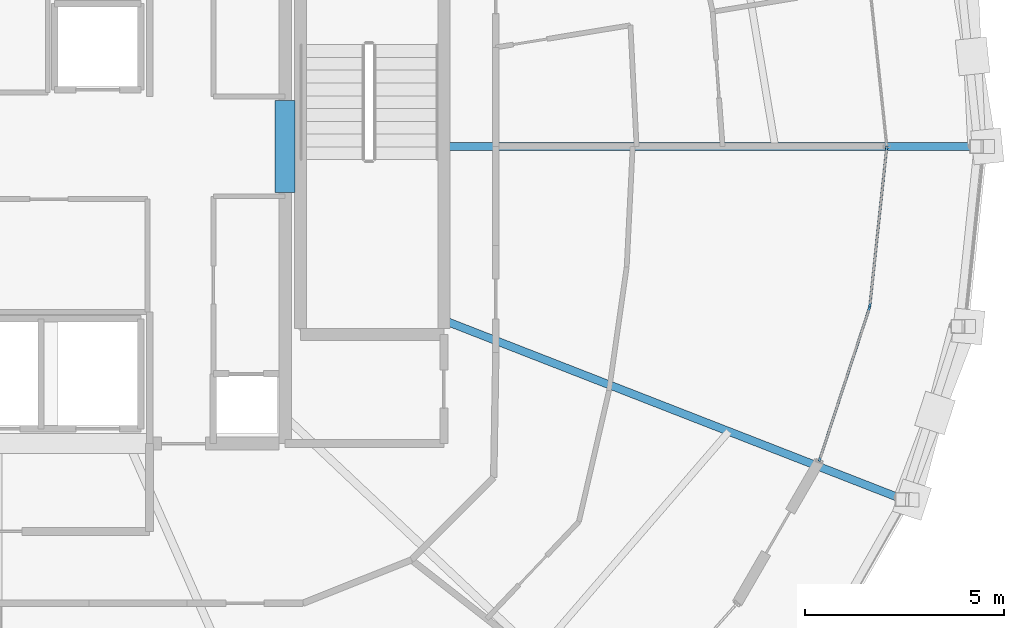
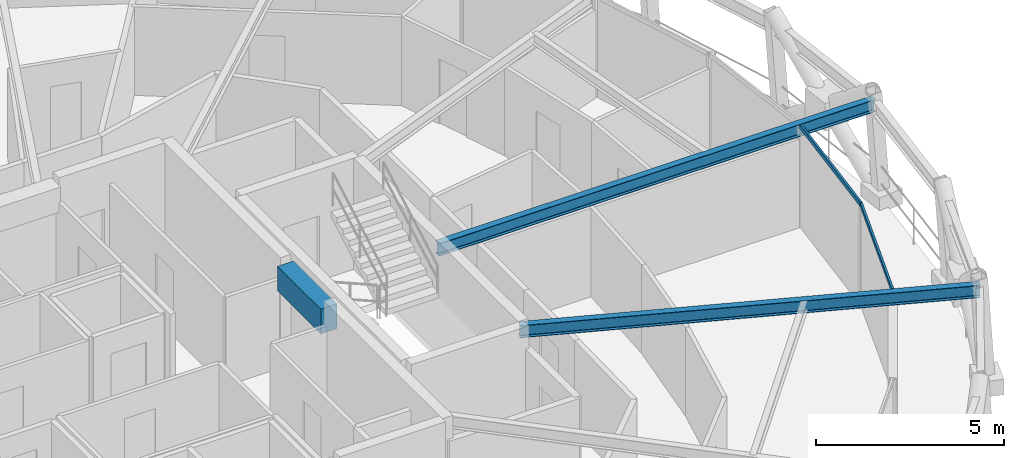
# One storey, part 7 of 17: 3 beams, 2 members, 1 element without a shape of its own.
"""IFC4 building model written with IfcOpenShell, lengths in metres."""

from ifc_helpers import new_model, si_unit, direction, frame, origin, origin_2d, place, context, subcontext, project, spatial, rectangle, hollow_rectangle, i_section, extrude, material, layer, layer_set, material_profile, profile_set, type_object, element, aggregate, save


model = new_model("IFC4")

# Units and contexts
model_context = context("Model", 3, precision=1e-05, world=origin(), true_north=direction((0.0, 1.0)))
body_context = subcontext(model_context, "Body", "Model", "MODEL_VIEW")
ifc_project = project(units=[si_unit("LENGTHUNIT", "METRE"), si_unit("AREAUNIT", "SQUARE_METRE"), si_unit("VOLUMEUNIT", "CUBIC_METRE"), si_unit("PLANEANGLEUNIT", "RADIAN"), si_unit("MASSUNIT", "GRAM", prefix="KILO")], contexts=[model_context])

# Site, building, storey
site_placement = place(None, origin())
site = spatial("IfcSite", under=ifc_project, at=site_placement, CompositionType="ELEMENT")
building_placement = place(site_placement, origin())
building = spatial("IfcBuilding", under=site, at=building_placement, Name="Veldorina Hangang Commons", CompositionType="ELEMENT")
storey_placement = place(building_placement, frame((0.0, 0.0, 225.60009765625)))
storey = spatial("IfcBuildingStorey", under=building, at=storey_placement, Name="L58", CompositionType="ELEMENT", Elevation=225.60009765625)

# Beams
ifc_material_1 = material(Name="Concrete C50/60", Category="concrete")
ifc_material_profile_1 = material_profile(ifc_material_1, rectangle(XDim=0.5, YDim=0.800048828125, at=origin_2d()), Name="RC-CB-500x800")
ifc_profile_set_1 = profile_set([ifc_material_profile_1], Name="Concrete C50/60")
beam_type_1 = type_object("IfcBeamType", Name="BM-CB800", PredefinedType="LINTEL", material=ifc_profile_set_1)
beam_1_placement = place(storey_placement, frame((39.199951171875, 22.85009765625, 2.9599609375), z_axis=(0.0, 1.0, 0.0), x_axis=(-1.0, 0.0, 0.0)))
element("IfcBeam", 1, at=beam_1_placement, inside=storey, type_object=beam_type_1, Name="L58 E core coupling lintel beam", PredefinedType="LINTEL", context=body_context, shape_type="SweptSolid", body=[
    extrude(rectangle(XDim=0.5, YDim=0.800048828125, at=origin_2d()), origin(), (0.0, 0.0, 1.0), 2.2998046875),
])
ifc_material_2 = material(Name="Steel SM355-TMC", Category="steel")
ifc_material_profile_2 = material_profile(ifc_material_2, i_section(OverallWidth=0.199951171875, OverallDepth=0.39990234375, WebThickness=0.008056640625, FlangeThickness=0.012939453125, FilletRadius=0.012939453125, at=origin_2d()), Name="H-400x200x8x13")
ifc_profile_set_2 = profile_set([ifc_material_profile_2], Name="Steel SM355-TMC")
beam_type_2 = type_object("IfcBeamType", Name="BM-FG400", PredefinedType="BEAM", material=ifc_profile_set_2)
beam_2_placement = place(storey_placement, frame((43.179931640625, 24.0, 3.159912109375), z_axis=(1.0, 0.0, 0.0), x_axis=(0.0, 1.0, 0.0)))
element("IfcBeam", 2, at=beam_2_placement, inside=storey, type_object=beam_type_2, Name="L58 radial floor girder 01", PredefinedType="BEAM", context=body_context, shape_type="SweptSolid", body=[
    extrude(i_section(OverallWidth=0.199951171875, OverallDepth=0.39990234375, WebThickness=0.008056640625, FlangeThickness=0.012939453125, FilletRadius=0.012939453125, at=origin_2d()), origin(), (0.0, 0.0, 1.0), 13.388427734375),
])
beam_3_placement = place(storey_placement, frame((43.179931640625, 19.639892578125, 3.159912109375), z_axis=(0.931653285014, -0.363348533124, 0.0), x_axis=(0.363348533124, 0.931653285014, 0.0)))
element("IfcBeam", 3, at=beam_3_placement, inside=storey, type_object=beam_type_2, Name="L58 radial floor girder 16", PredefinedType="BEAM", context=body_context, shape_type="SweptSolid", body=[
    extrude(i_section(OverallWidth=0.199951171875, OverallDepth=0.39990234375, WebThickness=0.008056640625, FlangeThickness=0.012939453125, FilletRadius=0.012939453125, at=origin_2d()), origin(), (0.0, 0.0, 1.0), 12.36328125),
])

# Curtain wall, members
ifc_material_3 = material(Name="Glass Low-E Selective", Category="glass")
ifc_layer = layer(ifc_material_3, 0.179931640625)
ifc_layer_set = layer_set([ifc_layer], Name="Glass Low-E Selective")
curtain_wall_type = type_object("IfcCurtainWallType", Name="CW-SYS-Z3", PredefinedType="NOTDEFINED", material=ifc_layer_set)
curtain_wall_placement = place(storey_placement, origin())
curtain_wall = element("IfcCurtainWall", 4, at=curtain_wall_placement, inside=storey, type_object=curtain_wall_type, Name="L58 unitised curtain wall CW-L58-R2", PredefinedType="NOTDEFINED")
ifc_material_4 = material(Name="Aluminium Anodized AA6063-T6", Category="aluminium")
ifc_material_profile_3 = material_profile(ifc_material_4, hollow_rectangle(XDim=0.06005859375, YDim=0.139892578125, WallThickness=0.00341796875, at=origin_2d()), Name="ALU-RHS-140x60x3.5")
ifc_profile_set_3 = profile_set([ifc_material_profile_3], Name="Aluminium Anodized AA6063-T6")
member_type = type_object("IfcMemberType", Name="CW-TRN-140", PredefinedType="USERDEFINED", material=ifc_profile_set_3)
member_1_placement = place(storey_placement, frame((52.584716796875, 16.108154296875, 3.27978515625), z_axis=(0.311420177511, 0.950272315202, 0.0), x_axis=(-0.950272315202, 0.311420177511, 0.0)))
member_1 = element("IfcMember", 5, at=member_1_placement, type_object=member_type, Name="CW-L58-R2 facet 1 transom 1", ObjectType="TRANSOM", PredefinedType="USERDEFINED", context=body_context, shape_type="SweptSolid", body=[
    extrude(hollow_rectangle(XDim=0.06005859375, YDim=0.139892578125, WallThickness=0.00341796875, at=origin_2d()), origin(), (0.0, 0.0, 1.0), 4.071044921875),
])
member_2_placement = place(storey_placement, frame((53.8525390625, 19.976806640625, 3.27978515625), z_axis=(0.105780976503, 0.994389453388, 0.0), x_axis=(-0.994389453388, 0.105780976503, 0.0)))
member_2 = element("IfcMember", 6, at=member_2_placement, type_object=member_type, Name="CW-L58-R2 facet 2 transom 1", ObjectType="TRANSOM", PredefinedType="USERDEFINED", context=body_context, shape_type="SweptSolid", body=[
    extrude(hollow_rectangle(XDim=0.06005859375, YDim=0.139892578125, WallThickness=0.00341796875, at=origin_2d()), origin(), (0.0, 0.0, 1.0), 4.0458984375),
])
aggregate(curtain_wall, [member_1, member_2])

save(model, "model.ifc")
